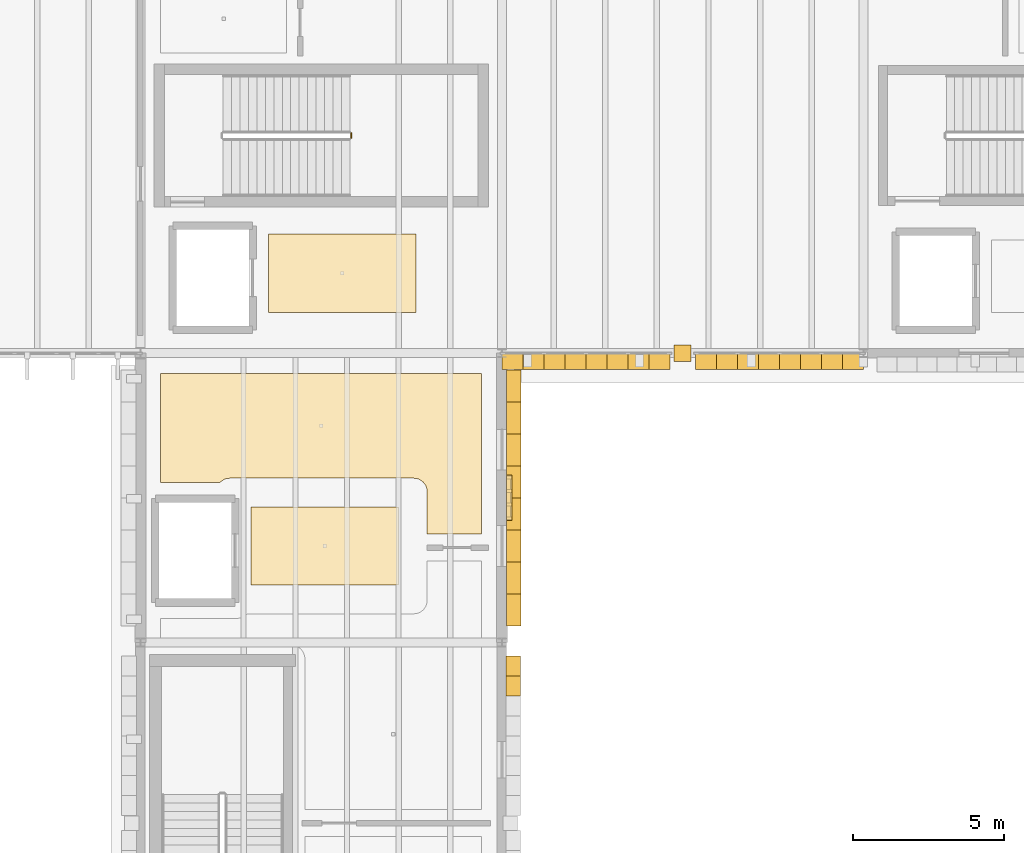
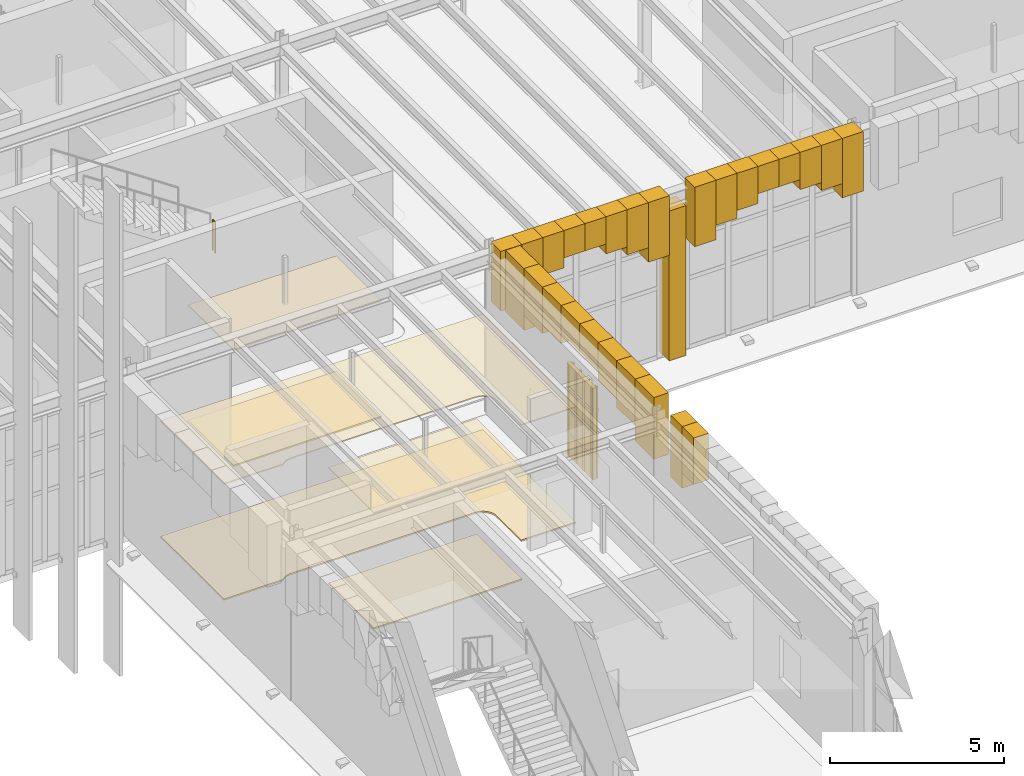
# One storey, part 74 of 83: 40 coverings, 1 railing, 1 shading device.
"""IFC4 building model written with IfcOpenShell, lengths in metres."""

import ifcopenshell
import ifcopenshell.guid

model = None  # the IFC model being written
_history = None  # IfcOwnerHistory: only IFC2X3 demands one
_inside = {}  # id of a spatial element -> (the spatial element, [elements in it])
_under = {}  # id of a project, library or spatial element -> (it, [spatial elements below it])
_declared = {}  # id of a project -> (the project, [libraries it declares])
_typed = {}  # id of a type object -> (the type object, [elements of that type])
_made_of = {}  # id of a material, layer set ... -> (it, [elements and type objects made of it])


def new_model(schema):
    """Start an empty IFC model of exactly this schema.

    Asked for "IFC4X3", IfcOpenShell would pick the latest addendum, in which some entities
    have other attributes; the version numbers below select the first issue.
    IFC2X3 requires an IfcOwnerHistory on every rooted entity: one is made here for all.
    """
    global model, _history
    if schema == "IFC4X3":
        model = ifcopenshell.file(schema_version=(4, 3, 0, 0))
    else:
        model = ifcopenshell.file(schema=schema)
    _inside.clear()
    _under.clear()
    _declared.clear()
    _typed.clear()
    _made_of.clear()
    _history = None
    if model.schema == "IFC2X3":
        org = make("IfcOrganization", Name="unknown")
        user = make(
            "IfcPersonAndOrganization",
            ThePerson=make("IfcPerson", FamilyName="unknown"),
            TheOrganization=org,
        )
        app = make(
            "IfcApplication",
            ApplicationDeveloper=org,
            Version="unknown",
            ApplicationFullName="unknown",
            ApplicationIdentifier="unknown",
        )
        _history = make(
            "IfcOwnerHistory",
            OwningUser=user,
            OwningApplication=app,
            ChangeAction="ADDED",
            CreationDate=0,
        )
    return model


def make(cls, **values):
    """One entity of the class cls with the attributes given. An attribute that is None is left unset."""
    return model.create_entity(
        cls, **{name: value for name, value in values.items() if value is not None}
    )


def rooted(cls, **values):
    """An entity with a GlobalId (a new one), such as an element, a storey or a relation."""
    return make(cls, GlobalId=ifcopenshell.guid.new(), OwnerHistory=_history, **values)


def si_unit(unit_type, name, prefix=None):
    """IfcSIUnit, for example si_unit("LENGTHUNIT", "METRE", prefix="MILLI")."""
    return make("IfcSIUnit", UnitType=unit_type, Prefix=prefix, Name=name)


def assignment(units):
    """IfcUnitAssignment: the units of a project."""
    return None if units is None else make("IfcUnitAssignment", Units=units)


def point(xyz):
    """IfcCartesianPoint."""
    return None if xyz is None else make("IfcCartesianPoint", Coordinates=xyz)


def direction(xyz):
    """IfcDirection."""
    return None if xyz is None else make("IfcDirection", DirectionRatios=xyz)


def frame(location, z_axis=None, x_axis=None):
    """IfcAxis2Placement3D, a coordinate frame: its origin and axes. An axis left out is left unset."""
    return make(
        "IfcAxis2Placement3D",
        Location=point(location),
        Axis=direction(z_axis),
        RefDirection=direction(x_axis),
    )


def frame_2d(location, x_axis=None):
    """IfcAxis2Placement2D, a coordinate frame in the plane: its origin and x axis."""
    return make(
        "IfcAxis2Placement2D", Location=point(location), RefDirection=direction(x_axis)
    )


def origin():
    """The frame at (0, 0, 0) with its axes left unset."""
    return frame((0.0, 0.0, 0.0))


def origin_2d():
    """The frame at (0, 0) in the plane with its x axis left unset."""
    return frame_2d((0.0, 0.0))


def place(relative_to, where):
    """IfcLocalPlacement: puts the frame where relative to a parent placement (None: the world)."""
    return make(
        "IfcLocalPlacement", PlacementRelTo=relative_to, RelativePlacement=where
    )


def context(
    kind, dimensions, precision=None, world=None, true_north=None, identifier=None
):
    """IfcGeometricRepresentationContext, for example the 3D "Model" context."""
    return make(
        "IfcGeometricRepresentationContext",
        ContextIdentifier=identifier,
        ContextType=kind,
        CoordinateSpaceDimension=dimensions,
        Precision=precision,
        WorldCoordinateSystem=world,
        TrueNorth=true_north,
    )


def subcontext(parent, identifier, kind, view, scale=None):
    """IfcGeometricRepresentationSubContext, for example "Body" below "Model"."""
    return make(
        "IfcGeometricRepresentationSubContext",
        ContextIdentifier=identifier,
        ContextType=kind,
        ParentContext=parent,
        TargetScale=scale,
        TargetView=view,
    )


def project(units=None, contexts=None):
    """IfcProject with its units and contexts."""
    return rooted(
        "IfcProject",
        Name="project",
        RepresentationContexts=contexts,
        UnitsInContext=assignment(units),
    )


def spatial(cls, under=None, at=None, **own):
    """A site, building, storey or space (cls), placed at a placement, below another one or the project."""
    s = rooted(cls, ObjectPlacement=at, **own)
    if under is not None:
        _under.setdefault(under.id(), (under, []))[1].append(s)
    return s


def polyline(points):
    """IfcPolyline through the points."""
    return make("IfcPolyline", Points=[point(p) for p in points])


def profile(cls, at=None, kind="AREA", **sizes):
    """A parametric profile (cls). Its sizes go by their IFC names, for example OverallWidth=200.0."""
    return make(cls, ProfileType=kind, Position=at, **sizes)


def rectangle(**sizes):
    """IfcRectangleProfileDef."""
    return profile("IfcRectangleProfileDef", **sizes)


def circle(**sizes):
    """IfcCircleProfileDef."""
    return profile("IfcCircleProfileDef", **sizes)


def outline(outer, holes=None, kind="AREA"):
    """IfcArbitraryClosedProfileDef: a profile drawn as a closed curve; with holes, ...WithVoids."""
    if holes is None:
        return make("IfcArbitraryClosedProfileDef", ProfileType=kind, OuterCurve=outer)
    return make(
        "IfcArbitraryProfileDefWithVoids",
        ProfileType=kind,
        OuterCurve=outer,
        InnerCurves=holes,
    )


def extrude(swept, where, along, depth):
    """IfcExtrudedAreaSolid: the profile swept, set in the frame where, extruded along a direction by depth."""
    return make(
        "IfcExtrudedAreaSolid",
        SweptArea=swept,
        Position=where,
        ExtrudedDirection=direction(along),
        Depth=depth,
    )


def shape(context_of_items, identifier, shape_type, items):
    """IfcShapeRepresentation: the items that make up one representation, for example the "Body"."""
    return make(
        "IfcShapeRepresentation",
        ContextOfItems=context_of_items,
        RepresentationIdentifier=identifier,
        RepresentationType=shape_type,
        Items=items,
    )


def material(Name=None, Category=None):
    """IfcMaterial."""
    return make("IfcMaterial", Name=Name, Category=Category)


def layer(
    of_material, thickness, ventilated=None, Name=None, Category=None, Priority=None
):
    """IfcMaterialLayer: one layer of a wall or slab, of a material (None: an air gap)."""
    return make(
        "IfcMaterialLayer",
        Material=of_material,
        LayerThickness=thickness,
        IsVentilated=ventilated,
        Name=Name,
        Category=Category,
        Priority=Priority,
    )


def layer_set(layers, Name=None):
    """IfcMaterialLayerSet."""
    return make("IfcMaterialLayerSet", MaterialLayers=layers, LayerSetName=Name)


def made_of(thing, what):
    """Note that an element or type object is made of a material, layer set ...; save() writes the relation."""
    if what is not None:
        _made_of.setdefault(what.id(), (what, []))[1].append(thing)
    return thing


def type_object(cls, material=None, **own):
    """A type object (cls), such as IfcWallType, which elements share."""
    return made_of(rooted(cls, **own), material)


def element(
    cls,
    number,
    at=None,
    inside=None,
    cuts=None,
    type_object=None,
    material=None,
    context=None,
    identifier="Body",
    shape_type=None,
    held_by="IfcProductDefinitionShape",
    body=None,
    shapes=None,
    **own,
):
    """One element of the class cls, such as IfcWall. Its Tag is "e" and its number.

    at: its placement. inside: the storey or other place that contains it. cuts: it is an
    opening in that element (IfcRelVoidsElement). A single representation is given by context,
    identifier, shape_type and body (its items); several are given by shapes. held_by: the class
    of the entity that holds the representations. save() writes the other relations.
    """
    e = rooted(cls, Tag="e%d" % number, ObjectPlacement=at, **own)
    if body is not None:
        shapes = [shape(context, identifier, shape_type, body)]
    if shapes is not None:
        e.Representation = make(held_by, Representations=shapes)
    if inside is not None:
        _inside.setdefault(inside.id(), (inside, []))[1].append(e)
    if cuts is not None:
        rooted(
            "IfcRelVoidsElement", RelatingBuildingElement=cuts, RelatedOpeningElement=e
        )
    if type_object is not None:
        _typed.setdefault(type_object.id(), (type_object, []))[1].append(e)
    return made_of(e, material)


def aggregate(whole, parts):
    """IfcRelAggregates: a whole, such as a stair, and the parts it consists of."""
    return rooted("IfcRelAggregates", RelatingObject=whole, RelatedObjects=parts)


def save(model, path):
    """Write the relations noted so far, then the file.

    IfcRelAggregates (storeys below a building ...), IfcRelContainedInSpatialStructure (elements
    in a storey), IfcRelDefinesByType, IfcRelAssociatesMaterial and IfcRelDeclares: one each for
    every whole, place, type object, material and project.
    """
    for whole, parts in _under.values():
        aggregate(whole, parts)
    for where, things in _inside.values():
        rooted(
            "IfcRelContainedInSpatialStructure",
            RelatedElements=things,
            RelatingStructure=where,
        )
    for kind, things in _typed.values():
        rooted("IfcRelDefinesByType", RelatedObjects=things, RelatingType=kind)
    for what, things in _made_of.values():
        rooted("IfcRelAssociatesMaterial", RelatedObjects=things, RelatingMaterial=what)
    for by, libraries in _declared.values():
        rooted("IfcRelDeclares", RelatingContext=by, RelatedDefinitions=libraries)
    model.write(path)


model = new_model("IFC4")

# Units and contexts
model_context = context("Model", 3, precision=1e-05, world=origin(), true_north=direction((0.0, 1.0)))
body_context = subcontext(model_context, "Body", "Model", "MODEL_VIEW")
ifc_project = project(units=[si_unit("LENGTHUNIT", "METRE"), si_unit("AREAUNIT", "SQUARE_METRE"), si_unit("VOLUMEUNIT", "CUBIC_METRE"), si_unit("PLANEANGLEUNIT", "RADIAN"), si_unit("MASSUNIT", "GRAM", prefix="KILO")], contexts=[model_context])

# Site, building, storey
site_placement = place(None, origin())
site = spatial("IfcSite", under=ifc_project, at=site_placement, CompositionType="ELEMENT")
building_placement = place(site_placement, origin())
building = spatial("IfcBuilding", under=site, at=building_placement, Name="Zlatogorsky Bluff Art Gallery", CompositionType="ELEMENT")
storey_placement = place(building_placement, frame((0.0, 0.0, 10.800048828125)))
storey = spatial("IfcBuildingStorey", under=building, at=storey_placement, Name="L02", CompositionType="ELEMENT", Elevation=10.800048828125)

# Coverings
ifc_material_1 = material(Name="Perforated Gypsum Acoustic Board", Category="gypsum")
ifc_layer_1 = layer(ifc_material_1, 0.0400390625)
ifc_layer_set_1 = layer_set([ifc_layer_1], Name="Acoustic Gallery Ceiling CLG-01")
covering_type_1 = type_object("IfcCoveringType", Name="Acoustic Gallery Ceiling CLG-01", PredefinedType="CEILING", material=ifc_layer_set_1)
covering_1_placement = place(storey_placement, frame((0.0, 0.0, 4.050048828125)))
element("IfcCovering", 1, at=covering_1_placement, inside=storey, type_object=covering_type_1, Name="Firefighting Lift Lobby FL-1 acoustic ceiling", PredefinedType="CEILING", context=body_context, shape_type="SweptSolid", body=[
    extrude(outline(polyline([(128.570068359375, 78.89990234375), (128.570068359375, 76.300048828125), (123.669921875, 76.300048828125), (123.669921875, 78.89990234375), (128.570068359375, 78.89990234375)])), origin(), (0.0, 0.0, 1.0), 0.039794921875),
])
covering_2_placement = place(storey_placement, frame((0.0, 0.0, 4.050048828125)))
element("IfcCovering", 2, at=covering_2_placement, inside=storey, type_object=covering_type_1, Name="Firefighting Lift Lobby FL-2 acoustic ceiling", PredefinedType="CEILING", context=body_context, shape_type="SweptSolid", body=[
    extrude(outline(polyline([(129.14990234375, 87.949951171875), (129.14990234375, 85.35009765625), (124.25, 85.35009765625), (124.25, 87.949951171875), (129.14990234375, 87.949951171875)])), origin(), (0.0, 0.0, 1.0), 0.039794921875),
])
covering_3_placement = place(storey_placement, frame((0.0, 0.0, 4.050048828125)))
element("IfcCovering", 3, at=covering_3_placement, inside=storey, type_object=covering_type_1, Name="Compact Art Study Archive acoustic ceiling", PredefinedType="CEILING", context=body_context, shape_type="SweptSolid", body=[
    extrude(outline(polyline([(120.669921875, 83.330078125), (131.330078125, 83.330078125), (131.330078125, 77.9951171875), (129.52001953125, 77.9951171875), (129.52001953125, 79.39990234375), (129.517822265625, 79.444091796875), (129.511474609375, 79.48779296875), (129.50048828125, 79.530517578125), (129.485595703125, 79.572265625), (129.466796875, 79.612060546875), (129.444091796875, 79.64990234375), (129.41796875, 79.685546875), (129.38818359375, 79.71826171875), (129.35546875, 79.747802734375), (129.320068359375, 79.774169921875), (129.281982421875, 79.796875), (129.2421875, 79.815673828125), (129.20068359375, 79.83056640625), (129.15771484375, 79.84130859375), (129.114013671875, 79.847900390625), (129.070068359375, 79.85009765625), (122.969970703125, 79.85009765625), (122.92578125, 79.847900390625), (122.882080078125, 79.84130859375), (122.83935546875, 79.83056640625), (122.7978515625, 79.815673828125), (122.7578125, 79.796875), (122.719970703125, 79.774169921875), (122.6845703125, 79.747802734375), (122.65185546875, 79.71826171875), (122.63525390625, 79.699951171875), (120.669921875, 79.699951171875), (120.669921875, 83.330078125)])), origin(), (0.0, 0.0, 1.0), 0.039794921875),
])
ifc_material_2 = material(Name="Honed Red Agra-Tone Quartzitic Sandstone", Category="masonry")
ifc_layer_2 = layer(ifc_material_2, 0.1201171875)
ifc_layer_set_2 = layer_set([ifc_layer_2], Name="Carved Sandstone Cladding CLD-02")
covering_type_2 = type_object("IfcCoveringType", Name="Carved Sandstone Cladding CLD-02", PredefinedType="CLADDING", material=ifc_layer_set_2)
covering_4_placement = place(storey_placement, frame((0.0, 0.0, 4.333740234375)))
element("IfcCovering", 4, at=covering_4_placement, inside=storey, type_object=covering_type_2, Name="Pointed Mughal arch voussoir spandrel WARCH-L02-E-10-06-B.7", PredefinedType="CLADDING", context=body_context, shape_type="SweptSolid", body=[
    extrude(outline(polyline([(132.1298828125, 72.625), (132.1298828125, 73.28759765625), (132.6201171875, 73.28759765625), (132.6201171875, 72.625), (132.1298828125, 72.625)])), origin(), (0.0, 0.0, 1.0), 1.626220703125),
])
covering_5_placement = place(storey_placement, frame((0.0, 0.0, 3.80224609375)))
element("IfcCovering", 5, at=covering_5_placement, inside=storey, type_object=covering_type_2, Name="Pointed Mughal arch voussoir spandrel WARCH-L02-E-10-06-B.8", PredefinedType="CLADDING", context=body_context, shape_type="SweptSolid", body=[
    extrude(outline(polyline([(132.1298828125, 73.28759765625), (132.1298828125, 73.949951171875), (132.6201171875, 73.949951171875), (132.6201171875, 73.28759765625), (132.1298828125, 73.28759765625)])), origin(), (0.0, 0.0, 1.0), 2.15771484375),
])
covering_6_placement = place(storey_placement, frame((0.0, 0.0, 3.80224609375)))
element("IfcCovering", 6, at=covering_6_placement, inside=storey, type_object=covering_type_2, Name="Pointed Mughal arch voussoir spandrel WARCH-L02-E-10-07-A.1", PredefinedType="CLADDING", context=body_context, shape_type="SweptSolid", body=[
    extrude(outline(polyline([(132.14990234375, 74.949951171875), (132.14990234375, 76.012451171875), (132.639892578125, 76.012451171875), (132.639892578125, 74.949951171875), (132.14990234375, 74.949951171875)])), origin(), (0.0, 0.0, 1.0), 2.15771484375),
])
covering_7_placement = place(storey_placement, frame((0.0, 0.0, 4.333740234375)))
element("IfcCovering", 7, at=covering_7_placement, inside=storey, type_object=covering_type_2, Name="Pointed Mughal arch voussoir spandrel WARCH-L02-E-10-07-A.2", PredefinedType="CLADDING", context=body_context, shape_type="SweptSolid", body=[
    extrude(outline(polyline([(132.14990234375, 76.012451171875), (132.14990234375, 77.074951171875), (132.639892578125, 77.074951171875), (132.639892578125, 76.012451171875), (132.14990234375, 76.012451171875)])), origin(), (0.0, 0.0, 1.0), 1.626220703125),
])
covering_8_placement = place(storey_placement, frame((0.0, 0.0, 4.626708984375)))
element("IfcCovering", 8, at=covering_8_placement, inside=storey, type_object=covering_type_2, Name="Pointed Mughal arch voussoir spandrel WARCH-L02-E-10-07-A.3", PredefinedType="CLADDING", context=body_context, shape_type="SweptSolid", body=[
    extrude(outline(polyline([(132.14990234375, 77.074951171875), (132.14990234375, 78.137451171875), (132.639892578125, 78.137451171875), (132.639892578125, 77.074951171875), (132.14990234375, 77.074951171875)])), origin(), (0.0, 0.0, 1.0), 1.333251953125),
])
covering_9_placement = place(storey_placement, frame((0.0, 0.0, 4.995361328125)))
element("IfcCovering", 9, at=covering_9_placement, inside=storey, type_object=covering_type_2, Name="Pointed Mughal arch voussoir spandrel WARCH-L02-E-10-07-A.4", PredefinedType="CLADDING", context=body_context, shape_type="SweptSolid", body=[
    extrude(outline(polyline([(132.14990234375, 78.137451171875), (132.14990234375, 79.199951171875), (132.639892578125, 79.199951171875), (132.639892578125, 78.137451171875), (132.14990234375, 78.137451171875)])), origin(), (0.0, 0.0, 1.0), 0.964599609375),
])
covering_10_placement = place(storey_placement, frame((0.0, 0.0, 4.995361328125)))
element("IfcCovering", 10, at=covering_10_placement, inside=storey, type_object=covering_type_2, Name="Pointed Mughal arch voussoir spandrel WARCH-L02-E-10-07-A.5", PredefinedType="CLADDING", context=body_context, shape_type="SweptSolid", body=[
    extrude(outline(polyline([(132.14990234375, 79.199951171875), (132.14990234375, 80.262451171875), (132.639892578125, 80.262451171875), (132.639892578125, 79.199951171875), (132.14990234375, 79.199951171875)])), origin(), (0.0, 0.0, 1.0), 0.964599609375),
])
covering_11_placement = place(storey_placement, frame((0.0, 0.0, 4.626708984375)))
element("IfcCovering", 11, at=covering_11_placement, inside=storey, type_object=covering_type_2, Name="Pointed Mughal arch voussoir spandrel WARCH-L02-E-10-07-A.6", PredefinedType="CLADDING", context=body_context, shape_type="SweptSolid", body=[
    extrude(outline(polyline([(132.14990234375, 80.262451171875), (132.14990234375, 81.324951171875), (132.639892578125, 81.324951171875), (132.639892578125, 80.262451171875), (132.14990234375, 80.262451171875)])), origin(), (0.0, 0.0, 1.0), 1.333251953125),
])
covering_12_placement = place(storey_placement, frame((0.0, 0.0, 4.333740234375)))
element("IfcCovering", 12, at=covering_12_placement, inside=storey, type_object=covering_type_2, Name="Pointed Mughal arch voussoir spandrel WARCH-L02-E-10-07-A.7", PredefinedType="CLADDING", context=body_context, shape_type="SweptSolid", body=[
    extrude(outline(polyline([(132.14990234375, 81.324951171875), (132.14990234375, 82.387451171875), (132.639892578125, 82.387451171875), (132.639892578125, 81.324951171875), (132.14990234375, 81.324951171875)])), origin(), (0.0, 0.0, 1.0), 1.626220703125),
])
covering_13_placement = place(storey_placement, frame((0.0, 0.0, 3.80224609375)))
element("IfcCovering", 13, at=covering_13_placement, inside=storey, type_object=covering_type_2, Name="Pointed Mughal arch voussoir spandrel WARCH-L02-E-10-07-A.8", PredefinedType="CLADDING", context=body_context, shape_type="SweptSolid", body=[
    extrude(outline(polyline([(132.14990234375, 82.387451171875), (132.14990234375, 83.449951171875), (132.639892578125, 83.449951171875), (132.639892578125, 82.387451171875), (132.14990234375, 82.387451171875)])), origin(), (0.0, 0.0, 1.0), 2.15771484375),
])
covering_14_placement = place(storey_placement, frame((0.0, 0.0, 0.949951171875)))
element("IfcCovering", 14, at=covering_14_placement, inside=storey, type_object=covering_type_2, Name="Pierced sandstone jali lattice bar L02.E.10.7", PredefinedType="CLADDING", context=body_context, shape_type="SweptSolid", body=[
    extrude(outline(polyline([(132.14990234375, 78.47998046875), (132.14990234375, 78.570068359375), (132.340087890625, 78.570068359375), (132.340087890625, 78.47998046875), (132.14990234375, 78.47998046875)])), origin(), (0.0, 0.0, 1.0), 3.199951171875),
])
covering_15_placement = place(storey_placement, frame((0.0, 0.0, 0.949951171875)))
element("IfcCovering", 15, at=covering_15_placement, inside=storey, type_object=covering_type_2, Name="Pierced sandstone jali lattice bar L02.E.10.7", PredefinedType="CLADDING", context=body_context, shape_type="SweptSolid", body=[
    extrude(outline(polyline([(132.14990234375, 78.929931640625), (132.14990234375, 79.02001953125), (132.340087890625, 79.02001953125), (132.340087890625, 78.929931640625), (132.14990234375, 78.929931640625)])), origin(), (0.0, 0.0, 1.0), 3.199951171875),
])
covering_16_placement = place(storey_placement, frame((0.0, 0.0, 0.949951171875)))
element("IfcCovering", 16, at=covering_16_placement, inside=storey, type_object=covering_type_2, Name="Pierced sandstone jali lattice bar L02.E.10.7", PredefinedType="CLADDING", context=body_context, shape_type="SweptSolid", body=[
    extrude(outline(polyline([(132.14990234375, 79.3798828125), (132.14990234375, 79.469970703125), (132.340087890625, 79.469970703125), (132.340087890625, 79.3798828125), (132.14990234375, 79.3798828125)])), origin(), (0.0, 0.0, 1.0), 3.199951171875),
])
covering_17_placement = place(storey_placement, frame((0.0, 0.0, 0.949951171875)))
element("IfcCovering", 17, at=covering_17_placement, inside=storey, type_object=covering_type_2, Name="Pierced sandstone jali lattice bar L02.E.10.7", PredefinedType="CLADDING", context=body_context, shape_type="SweptSolid", body=[
    extrude(outline(polyline([(132.14990234375, 79.830078125), (132.14990234375, 79.919921875), (132.340087890625, 79.919921875), (132.340087890625, 79.830078125), (132.14990234375, 79.830078125)])), origin(), (0.0, 0.0, 1.0), 3.199951171875),
])
covering_18_placement = place(storey_placement, frame((0.0, 0.0, 1.7099609375)))
element("IfcCovering", 18, at=covering_18_placement, inside=storey, type_object=covering_type_2, Name="Pierced sandstone jali lattice transom L02.E.10.7", PredefinedType="CLADDING", context=body_context, shape_type="SweptSolid", body=[
    extrude(outline(polyline([(132.14990234375, 78.449951171875), (132.14990234375, 79.949951171875), (132.340087890625, 79.949951171875), (132.340087890625, 78.449951171875), (132.14990234375, 78.449951171875)])), origin(), (0.0, 0.0, 1.0), 0.080078125),
])
for number, where, name in (
    (19, (0.0, 0.0, 2.510009765625), "Pierced sandstone jali lattice transom L02.E.10.7"),
    (20, (0.0, 0.0, 3.31005859375), "Pierced sandstone jali lattice transom L02.E.10.7"),
):
    element("IfcCovering", number, at=place(storey_placement, frame(where)), inside=storey, type_object=covering_type_2, Name=name, PredefinedType="CLADDING", context=body_context, shape_type="SweptSolid", body=[
        extrude(outline(polyline([(132.14990234375, 78.449951171875), (132.14990234375, 79.949951171875), (132.340087890625, 79.949951171875), (132.340087890625, 78.449951171875), (132.14990234375, 78.449951171875)])), origin(), (0.0, 0.0, 1.0), 0.079833984375),
    ])
covering_19_placement = place(storey_placement, frame((0.0, 0.0, -0.030029296875)))
element("IfcCovering", 21, at=covering_19_placement, inside=storey, type_object=covering_type_2, Name="Mughal dalan central sandstone pier L02 S 11.8", PredefinedType="CLADDING", context=body_context, shape_type="SweptSolid", body=[
    extrude(outline(polyline([(137.719970703125, 83.719970703125), (138.280029296875, 83.719970703125), (138.280029296875, 84.280029296875), (137.719970703125, 84.280029296875), (137.719970703125, 83.719970703125)])), origin(), (0.0, 0.0, 1.0), 5.239990234375),
])
covering_20_placement = place(storey_placement, frame((0.0, 0.0, 3.877685546875)))
element("IfcCovering", 22, at=covering_20_placement, inside=storey, type_object=covering_type_2, Name="Pointed Mughal arch voussoir spandrel ARCH-CW-L02-S-11-08-A.1", PredefinedType="CLADDING", context=body_context, shape_type="SweptSolid", body=[
    extrude(outline(polyline([(132.0, 83.4599609375), (132.697509765625, 83.4599609375), (132.697509765625, 84.030029296875), (132.0, 84.030029296875), (132.0, 83.4599609375)])), origin(), (0.0, 0.0, 1.0), 2.082275390625),
])
covering_21_placement = place(storey_placement, frame((0.0, 0.0, 4.379638671875)))
element("IfcCovering", 23, at=covering_21_placement, inside=storey, type_object=covering_type_2, Name="Pointed Mughal arch voussoir spandrel ARCH-CW-L02-S-11-08-A.2", PredefinedType="CLADDING", context=body_context, shape_type="SweptSolid", body=[
    extrude(outline(polyline([(132.697509765625, 83.4599609375), (133.39501953125, 83.4599609375), (133.39501953125, 84.030029296875), (132.697509765625, 84.030029296875), (132.697509765625, 83.4599609375)])), origin(), (0.0, 0.0, 1.0), 1.580322265625),
])
covering_22_placement = place(storey_placement, frame((0.0, 0.0, 4.65625)))
element("IfcCovering", 24, at=covering_22_placement, inside=storey, type_object=covering_type_2, Name="Pointed Mughal arch voussoir spandrel ARCH-CW-L02-S-11-08-A.3", PredefinedType="CLADDING", context=body_context, shape_type="SweptSolid", body=[
    extrude(outline(polyline([(133.39501953125, 83.4599609375), (134.092529296875, 83.4599609375), (134.092529296875, 84.030029296875), (133.39501953125, 84.030029296875), (133.39501953125, 83.4599609375)])), origin(), (0.0, 0.0, 1.0), 1.3037109375),
])
covering_23_placement = place(storey_placement, frame((0.0, 0.0, 5.00439453125)))
element("IfcCovering", 25, at=covering_23_placement, inside=storey, type_object=covering_type_2, Name="Pointed Mughal arch voussoir spandrel ARCH-CW-L02-S-11-08-A.4", PredefinedType="CLADDING", context=body_context, shape_type="SweptSolid", body=[
    extrude(outline(polyline([(134.092529296875, 83.4599609375), (134.7900390625, 83.4599609375), (134.7900390625, 84.030029296875), (134.092529296875, 84.030029296875), (134.092529296875, 83.4599609375)])), origin(), (0.0, 0.0, 1.0), 0.95556640625),
])
covering_24_placement = place(storey_placement, frame((0.0, 0.0, 5.00439453125)))
element("IfcCovering", 26, at=covering_24_placement, inside=storey, type_object=covering_type_2, Name="Pointed Mughal arch voussoir spandrel ARCH-CW-L02-S-11-08-A.5", PredefinedType="CLADDING", context=body_context, shape_type="SweptSolid", body=[
    extrude(outline(polyline([(134.7900390625, 83.4599609375), (135.487548828125, 83.4599609375), (135.487548828125, 84.030029296875), (134.7900390625, 84.030029296875), (134.7900390625, 83.4599609375)])), origin(), (0.0, 0.0, 1.0), 0.95556640625),
])
covering_25_placement = place(storey_placement, frame((0.0, 0.0, 4.65625)))
element("IfcCovering", 27, at=covering_25_placement, inside=storey, type_object=covering_type_2, Name="Pointed Mughal arch voussoir spandrel ARCH-CW-L02-S-11-08-A.6", PredefinedType="CLADDING", context=body_context, shape_type="SweptSolid", body=[
    extrude(outline(polyline([(135.487548828125, 83.4599609375), (136.18505859375, 83.4599609375), (136.18505859375, 84.030029296875), (135.487548828125, 84.030029296875), (135.487548828125, 83.4599609375)])), origin(), (0.0, 0.0, 1.0), 1.3037109375),
])
covering_26_placement = place(storey_placement, frame((0.0, 0.0, 4.379638671875)))
element("IfcCovering", 28, at=covering_26_placement, inside=storey, type_object=covering_type_2, Name="Pointed Mughal arch voussoir spandrel ARCH-CW-L02-S-11-08-A.7", PredefinedType="CLADDING", context=body_context, shape_type="SweptSolid", body=[
    extrude(outline(polyline([(136.18505859375, 83.4599609375), (136.882568359375, 83.4599609375), (136.882568359375, 84.030029296875), (136.18505859375, 84.030029296875), (136.18505859375, 83.4599609375)])), origin(), (0.0, 0.0, 1.0), 1.580322265625),
])
covering_27_placement = place(storey_placement, frame((0.0, 0.0, 3.877685546875)))
element("IfcCovering", 29, at=covering_27_placement, inside=storey, type_object=covering_type_2, Name="Pointed Mughal arch voussoir spandrel ARCH-CW-L02-S-11-08-A.8", PredefinedType="CLADDING", context=body_context, shape_type="SweptSolid", body=[
    extrude(outline(polyline([(136.882568359375, 83.4599609375), (137.580078125, 83.4599609375), (137.580078125, 84.030029296875), (136.882568359375, 84.030029296875), (136.882568359375, 83.4599609375)])), origin(), (0.0, 0.0, 1.0), 2.082275390625),
])
covering_28_placement = place(storey_placement, frame((0.0, 0.0, 3.877685546875)))
element("IfcCovering", 30, at=covering_28_placement, inside=storey, type_object=covering_type_2, Name="Pointed Mughal arch voussoir spandrel ARCH-CW-L02-S-11-08-B.1", PredefinedType="CLADDING", context=body_context, shape_type="SweptSolid", body=[
    extrude(outline(polyline([(138.419921875, 83.4599609375), (139.117431640625, 83.4599609375), (139.117431640625, 84.030029296875), (138.419921875, 84.030029296875), (138.419921875, 83.4599609375)])), origin(), (0.0, 0.0, 1.0), 2.082275390625),
])
covering_29_placement = place(storey_placement, frame((0.0, 0.0, 4.379638671875)))
element("IfcCovering", 31, at=covering_29_placement, inside=storey, type_object=covering_type_2, Name="Pointed Mughal arch voussoir spandrel ARCH-CW-L02-S-11-08-B.2", PredefinedType="CLADDING", context=body_context, shape_type="SweptSolid", body=[
    extrude(outline(polyline([(139.117431640625, 83.4599609375), (139.81494140625, 83.4599609375), (139.81494140625, 84.030029296875), (139.117431640625, 84.030029296875), (139.117431640625, 83.4599609375)])), origin(), (0.0, 0.0, 1.0), 1.580322265625),
])
covering_30_placement = place(storey_placement, frame((0.0, 0.0, 4.65625)))
element("IfcCovering", 32, at=covering_30_placement, inside=storey, type_object=covering_type_2, Name="Pointed Mughal arch voussoir spandrel ARCH-CW-L02-S-11-08-B.3", PredefinedType="CLADDING", context=body_context, shape_type="SweptSolid", body=[
    extrude(outline(polyline([(139.81494140625, 83.4599609375), (140.512451171875, 83.4599609375), (140.512451171875, 84.030029296875), (139.81494140625, 84.030029296875), (139.81494140625, 83.4599609375)])), origin(), (0.0, 0.0, 1.0), 1.3037109375),
])
covering_31_placement = place(storey_placement, frame((0.0, 0.0, 5.00439453125)))
element("IfcCovering", 33, at=covering_31_placement, inside=storey, type_object=covering_type_2, Name="Pointed Mughal arch voussoir spandrel ARCH-CW-L02-S-11-08-B.4", PredefinedType="CLADDING", context=body_context, shape_type="SweptSolid", body=[
    extrude(outline(polyline([(140.512451171875, 83.4599609375), (141.2099609375, 83.4599609375), (141.2099609375, 84.030029296875), (140.512451171875, 84.030029296875), (140.512451171875, 83.4599609375)])), origin(), (0.0, 0.0, 1.0), 0.95556640625),
])
covering_32_placement = place(storey_placement, frame((0.0, 0.0, 5.00439453125)))
element("IfcCovering", 34, at=covering_32_placement, inside=storey, type_object=covering_type_2, Name="Pointed Mughal arch voussoir spandrel ARCH-CW-L02-S-11-08-B.5", PredefinedType="CLADDING", context=body_context, shape_type="SweptSolid", body=[
    extrude(outline(polyline([(141.2099609375, 83.4599609375), (141.907470703125, 83.4599609375), (141.907470703125, 84.030029296875), (141.2099609375, 84.030029296875), (141.2099609375, 83.4599609375)])), origin(), (0.0, 0.0, 1.0), 0.95556640625),
])
covering_33_placement = place(storey_placement, frame((0.0, 0.0, 4.65625)))
element("IfcCovering", 35, at=covering_33_placement, inside=storey, type_object=covering_type_2, Name="Pointed Mughal arch voussoir spandrel ARCH-CW-L02-S-11-08-B.6", PredefinedType="CLADDING", context=body_context, shape_type="SweptSolid", body=[
    extrude(outline(polyline([(141.907470703125, 83.4599609375), (142.60498046875, 83.4599609375), (142.60498046875, 84.030029296875), (141.907470703125, 84.030029296875), (141.907470703125, 83.4599609375)])), origin(), (0.0, 0.0, 1.0), 1.3037109375),
])
covering_34_placement = place(storey_placement, frame((0.0, 0.0, 4.379638671875)))
element("IfcCovering", 36, at=covering_34_placement, inside=storey, type_object=covering_type_2, Name="Pointed Mughal arch voussoir spandrel ARCH-CW-L02-S-11-08-B.7", PredefinedType="CLADDING", context=body_context, shape_type="SweptSolid", body=[
    extrude(outline(polyline([(142.60498046875, 83.4599609375), (143.302490234375, 83.4599609375), (143.302490234375, 84.030029296875), (142.60498046875, 84.030029296875), (142.60498046875, 83.4599609375)])), origin(), (0.0, 0.0, 1.0), 1.580322265625),
])
covering_35_placement = place(storey_placement, frame((0.0, 0.0, 3.877685546875)))
element("IfcCovering", 37, at=covering_35_placement, inside=storey, type_object=covering_type_2, Name="Pointed Mughal arch voussoir spandrel ARCH-CW-L02-S-11-08-B.8", PredefinedType="CLADDING", context=body_context, shape_type="SweptSolid", body=[
    extrude(outline(polyline([(143.302490234375, 83.4599609375), (144.0, 83.4599609375), (144.0, 84.030029296875), (143.302490234375, 84.030029296875), (143.302490234375, 83.4599609375)])), origin(), (0.0, 0.0, 1.0), 2.082275390625),
])

# Railing
ifc_material_3 = material(Name="Architectural Bronze and Laminated Glass", Category="glass")
railing_type = type_object("IfcRailingType", Name="Gallery Guard Rail 1100mm", PredefinedType="GUARDRAIL", material=ifc_material_3)
railing_placement = place(storey_placement, frame((127.0, 91.14990234375, 3.0)))
element("IfcRailing", 38, at=railing_placement, inside=storey, type_object=railing_type, Name="L02 ST-02 stair guard 2", PredefinedType="GUARDRAIL", context=body_context, shape_type="SweptSolid", body=[
    extrude(circle(Radius=0.02392578125, at=origin_2d()), frame((0.0, 0.0, 1.076171875), z_axis=(0.0, 1.0, 0.0), x_axis=(-1.0, 0.0, 0.0)), (0.0, 0.0, 1.0), 0.150146484375),
    extrude(circle(Radius=0.02099609375, at=origin_2d()), origin(), (0.0, 0.0, 1.0), 1.052001953125),
    extrude(circle(Radius=0.02099609375, at=origin_2d()), frame((0.0, 0.150146484375, 0.0)), (0.0, 0.0, 1.0), 1.052001953125),
])

# Shading device
ifc_material_4 = material(Name="CNC-Pierced Red Quartzitic Sandstone Jali", Category="masonry")
shading_device_type = type_object("IfcShadingDeviceType", Name="Pierced Stone Jali Screen JAL-04", PredefinedType="JALOUSIE", material=ifc_material_4)
shading_device_placement = place(storey_placement, frame((132.219970703125, 79.199951171875, 0.9501953125), z_axis=(0.0, 0.0, 1.0), x_axis=(1.0, 0.0, 0.0)))
element("IfcShadingDevice", 39, at=shading_device_placement, inside=storey, type_object=shading_device_type, Name="Pierced stone jali screen JAL-04", PredefinedType="JALOUSIE", context=body_context, shape_type="SweptSolid", body=[
    extrude(rectangle(XDim=0.1201171875, YDim=1.5, at=origin_2d()), origin(), (0.0, 0.0, 1.0), 3.199951171875),
])

# Coverings
ifc_material_5 = material(Name="Polished Ural Marble Terrazzo", Category="masonry")
ifc_layer_3 = layer(ifc_material_5, 0.050048828125)
ifc_layer_set_3 = layer_set([ifc_layer_3], Name="Terrazzo Gallery Flooring FLR-01")
covering_type_3 = type_object("IfcCoveringType", Name="Terrazzo Gallery Flooring FLR-01", PredefinedType="FLOORING", material=ifc_layer_set_3)
covering_36_placement = place(storey_placement, origin())
element("IfcCovering", 40, at=covering_36_placement, inside=storey, type_object=covering_type_3, Name="Firefighting Lift Lobby FL-1 terrazzo floor finish", PredefinedType="FLOORING", context=body_context, shape_type="SweptSolid", body=[
    extrude(outline(polyline([(128.570068359375, 78.89990234375), (128.570068359375, 76.300048828125), (123.669921875, 76.300048828125), (123.669921875, 78.89990234375), (128.570068359375, 78.89990234375)])), origin(), (0.0, 0.0, 1.0), 0.050048828125),
])
covering_37_placement = place(storey_placement, origin())
element("IfcCovering", 41, at=covering_37_placement, inside=storey, type_object=covering_type_3, Name="Firefighting Lift Lobby FL-2 terrazzo floor finish", PredefinedType="FLOORING", context=body_context, shape_type="SweptSolid", body=[
    extrude(outline(polyline([(129.14990234375, 87.949951171875), (129.14990234375, 85.35009765625), (124.25, 85.35009765625), (124.25, 87.949951171875), (129.14990234375, 87.949951171875)])), origin(), (0.0, 0.0, 1.0), 0.050048828125),
])
covering_38_placement = place(storey_placement, origin())
element("IfcCovering", 42, at=covering_38_placement, inside=storey, type_object=covering_type_3, Name="Compact Art Study Archive terrazzo floor finish", PredefinedType="FLOORING", context=body_context, shape_type="SweptSolid", body=[
    extrude(outline(polyline([(120.669921875, 83.330078125), (131.330078125, 83.330078125), (131.330078125, 77.9951171875), (129.52001953125, 77.9951171875), (129.52001953125, 79.39990234375), (129.517822265625, 79.444091796875), (129.511474609375, 79.48779296875), (129.50048828125, 79.530517578125), (129.485595703125, 79.572265625), (129.466796875, 79.612060546875), (129.444091796875, 79.64990234375), (129.41796875, 79.685546875), (129.38818359375, 79.71826171875), (129.35546875, 79.747802734375), (129.320068359375, 79.774169921875), (129.281982421875, 79.796875), (129.2421875, 79.815673828125), (129.20068359375, 79.83056640625), (129.15771484375, 79.84130859375), (129.114013671875, 79.847900390625), (129.070068359375, 79.85009765625), (122.969970703125, 79.85009765625), (122.92578125, 79.847900390625), (122.882080078125, 79.84130859375), (122.83935546875, 79.83056640625), (122.7978515625, 79.815673828125), (122.7578125, 79.796875), (122.719970703125, 79.774169921875), (122.6845703125, 79.747802734375), (122.65185546875, 79.71826171875), (122.63525390625, 79.699951171875), (120.669921875, 79.699951171875), (120.669921875, 83.330078125)])), origin(), (0.0, 0.0, 1.0), 0.050048828125),
])

save(model, "model.ifc")
